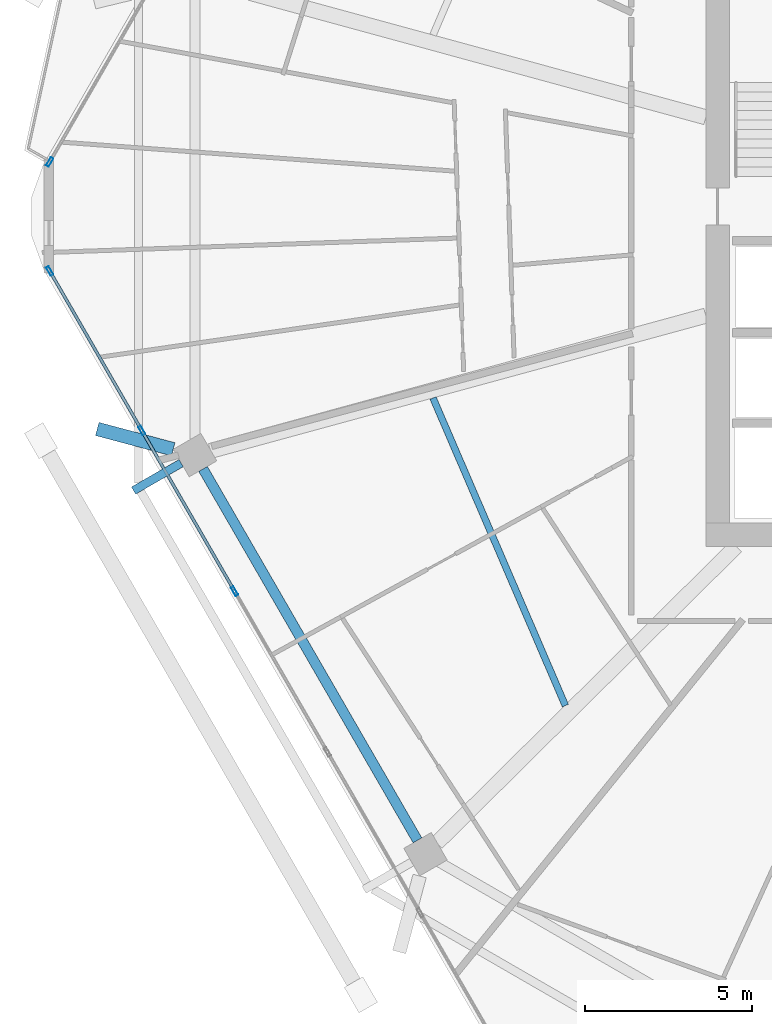
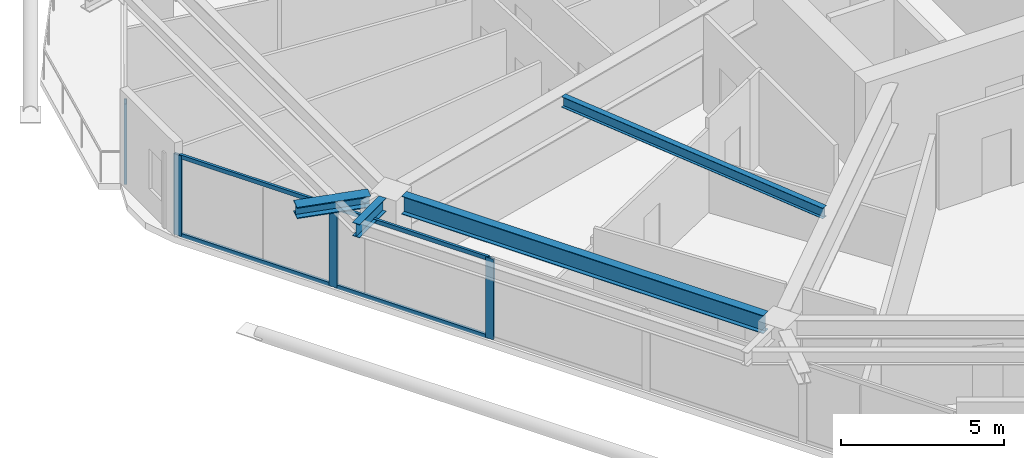
# One storey, part 6 of 28: 8 members, 4 beams, 2 elements without a shape of their own.
"""IFC4 building model written with IfcOpenShell, lengths in metres."""

from ifc_helpers import new_model, si_unit, direction, frame, origin, origin_2d, place, context, subcontext, project, spatial, hollow_rectangle, i_section, extrude, material, material_profile, profile_set, type_object, element, aggregate, save


model = new_model("IFC4")

# Units and contexts
model_context = context("Model", 3, precision=1e-05, world=origin(), true_north=direction((0.0, 1.0)))
body_context = subcontext(model_context, "Body", "Model", "MODEL_VIEW")
ifc_project = project(units=[si_unit("LENGTHUNIT", "METRE"), si_unit("AREAUNIT", "SQUARE_METRE"), si_unit("VOLUMEUNIT", "CUBIC_METRE"), si_unit("PLANEANGLEUNIT", "RADIAN"), si_unit("MASSUNIT", "GRAM", prefix="KILO")], contexts=[model_context])

# Site, building, storey
site_placement = place(None, origin())
site = spatial("IfcSite", under=ifc_project, at=site_placement, CompositionType="ELEMENT")
building_placement = place(site_placement, origin())
building = spatial("IfcBuilding", under=site, at=building_placement, Name="Zuhravey Tower", CompositionType="ELEMENT")
storey_placement = place(building_placement, frame((0.0, 0.0, 222.60009765625)))
storey = spatial("IfcBuildingStorey", under=building, at=storey_placement, Name="L56", CompositionType="ELEMENT", Elevation=222.60009765625)

# Curtain wall, members
ifc_material_1 = material(Name="Thermally broken anodised aluminium", Category="aluminium")
curtain_wall_type = type_object("IfcCurtainWallType", Name="Zone 1-2 Residential Curtain Wall CW3", PredefinedType="NOTDEFINED", material=ifc_material_1)
curtain_wall_1_placement = place(storey_placement, origin())
curtain_wall_1 = element("IfcCurtainWall", 1, at=curtain_wall_1_placement, inside=storey, type_object=curtain_wall_type, Name="L56 CW3 CW-L56-F4-1", PredefinedType="NOTDEFINED")
ifc_material_2 = material(Name="Anodised aluminium", Category="aluminium")
ifc_material_profile_1 = material_profile(ifc_material_2, hollow_rectangle(XDim=0.090087890625, YDim=0.284912109375, WallThickness=0.0048828125, at=origin_2d()), Name="ALU-RHS-90x285x5")
ifc_profile_set_1 = profile_set([ifc_material_profile_1], Name="Anodised aluminium")
member_type_1 = type_object("IfcMemberType", Name="Curtain-Wall Mullion 90x180", PredefinedType="MULLION", material=ifc_profile_set_1)
member_1_placement = place(storey_placement, frame((11.07275390625, 20.809326171875, 0.0), z_axis=(0.0, 0.0, 1.0), x_axis=(-0.866025138215, -0.500000459979, 0.0)))
member_1 = element("IfcMember", 2, at=member_1_placement, type_object=member_type_1, Name="CW3 mullion 4", PredefinedType="MULLION", context=body_context, shape_type="SweptSolid", body=[
    extrude(hollow_rectangle(XDim=0.090087890625, YDim=0.284912109375, WallThickness=0.0048828125, at=origin_2d()), origin(), (0.0, 0.0, 1.0), 3.02001953125),
])
member_2_placement = place(storey_placement, frame((8.300537109375, 25.61083984375, 0.0), z_axis=(0.0, 0.0, 1.0), x_axis=(-0.866025138215, -0.500000459979, 0.0)))
member_2 = element("IfcMember", 3, at=member_2_placement, type_object=member_type_1, Name="CW3 mullion 5", PredefinedType="MULLION", context=body_context, shape_type="SweptSolid", body=[
    extrude(hollow_rectangle(XDim=0.090087890625, YDim=0.284912109375, WallThickness=0.0048828125, at=origin_2d()), origin(), (0.0, 0.0, 1.0), 3.02001953125),
])
member_3_placement = place(storey_placement, frame((5.55078125, 30.37353515625, 0.0), z_axis=(0.0, 0.0, 1.0), x_axis=(-0.866025138215, -0.500000459979, 0.0)))
member_3 = element("IfcMember", 4, at=member_3_placement, type_object=member_type_1, Name="CW3 mullion 6", PredefinedType="MULLION", context=body_context, shape_type="SweptSolid", body=[
    extrude(hollow_rectangle(XDim=0.090087890625, YDim=0.284912109375, WallThickness=0.0048828125, at=origin_2d()), origin(), (0.0, 0.0, 1.0), 3.02001953125),
])

# Curtain wall, member
curtain_wall_2_placement = place(storey_placement, origin())
curtain_wall_2 = element("IfcCurtainWall", 5, at=curtain_wall_2_placement, inside=storey, type_object=curtain_wall_type, Name="L56 CW3 CW-L56-F3-1", PredefinedType="NOTDEFINED")
member_4_placement = place(storey_placement, frame((5.55078125, 33.62646484375, 0.0), z_axis=(0.0, 0.0, 1.0), x_axis=(-0.866025772241, 0.499999361815, 0.0)))
member_4 = element("IfcMember", 6, at=member_4_placement, type_object=member_type_1, Name="CW3 mullion 1", PredefinedType="MULLION", context=body_context, shape_type="SweptSolid", body=[
    extrude(hollow_rectangle(XDim=0.090087890625, YDim=0.284912109375, WallThickness=0.0048828125, at=origin_2d()), origin(), (0.0, 0.0, 1.0), 3.02001953125),
])
aggregate(curtain_wall_2, [member_4])

# Member
ifc_material_profile_2 = material_profile(ifc_material_2, hollow_rectangle(XDim=0.090087890625, YDim=0.14990234375, WallThickness=0.0048828125, at=origin_2d()), Name="ALU-RHS-90x150x5")
ifc_profile_set_2 = profile_set([ifc_material_profile_2], Name="Anodised aluminium")
member_type_2 = type_object("IfcMemberType", Name="Curtain-Wall Transom 90x150", PredefinedType="USERDEFINED", material=ifc_profile_set_2)
member_5_placement = place(storey_placement, frame((11.050048828125, 20.84814453125, 0.044921875), z_axis=(-0.49996138257, 0.86604769842, 0.0), x_axis=(-0.86604769842, -0.49996138257, 0.0)))
member_5 = element("IfcMember", 7, at=member_5_placement, type_object=member_type_2, Name="CW3 transom 4.1", ObjectType="TRANSOM", PredefinedType="USERDEFINED", context=body_context, shape_type="SweptSolid", body=[
    extrude(hollow_rectangle(XDim=0.090087890625, YDim=0.14990234375, WallThickness=0.0048828125, at=origin_2d()), origin(), (0.0, 0.0, 1.0), 5.45458984375),
])

member_6_placement = place(storey_placement, frame((11.050048828125, 20.84814453125, 2.974853515625), z_axis=(-0.49996138257, 0.86604769842, 0.0), x_axis=(-0.86604769842, -0.49996138257, 0.0)))
member_6 = element("IfcMember", 8, at=member_6_placement, type_object=member_type_2, Name="CW3 transom 4.2", ObjectType="TRANSOM", PredefinedType="USERDEFINED", context=body_context, shape_type="SweptSolid", body=[
    extrude(hollow_rectangle(XDim=0.090087890625, YDim=0.14990234375, WallThickness=0.0048828125, at=origin_2d()), origin(), (0.0, 0.0, 1.0), 5.45458984375),
])

member_7_placement = place(storey_placement, frame((8.27783203125, 25.64990234375, 0.044921875), z_axis=(-0.499993332629, 0.866029253159, 0.0), x_axis=(-0.866029253159, -0.499993332629, 0.0)))
member_7 = element("IfcMember", 9, at=member_7_placement, type_object=member_type_2, Name="CW3 transom 5.1", ObjectType="TRANSOM", PredefinedType="USERDEFINED", context=body_context, shape_type="SweptSolid", body=[
    extrude(hollow_rectangle(XDim=0.090087890625, YDim=0.14990234375, WallThickness=0.0048828125, at=origin_2d()), origin(), (0.0, 0.0, 1.0), 5.4091796875),
])

member_8_placement = place(storey_placement, frame((8.27783203125, 25.64990234375, 2.974853515625), z_axis=(-0.499993332629, 0.866029253159, 0.0), x_axis=(-0.866029253159, -0.499993332629, 0.0)))
member_8 = element("IfcMember", 10, at=member_8_placement, type_object=member_type_2, Name="CW3 transom 5.2", ObjectType="TRANSOM", PredefinedType="USERDEFINED", context=body_context, shape_type="SweptSolid", body=[
    extrude(hollow_rectangle(XDim=0.090087890625, YDim=0.14990234375, WallThickness=0.0048828125, at=origin_2d()), origin(), (0.0, 0.0, 1.0), 5.4091796875),
])

aggregate(curtain_wall_1, [member_1, member_2, member_3, member_5, member_6, member_7, member_8])

# Beams
ifc_material_3 = material(Name="Steel SM460", Category="steel")
ifc_material_profile_3 = material_profile(ifc_material_3, i_section(OverallWidth=0.406982421875, OverallDepth=0.427978515625, WebThickness=0.02001953125, FlangeThickness=0.034912109375, at=origin_2d()), Name="H-428x407x20x35")
ifc_profile_set_3 = profile_set([ifc_material_profile_3], Name="Steel SM460")
beam_type_1 = type_object("IfcBeamType", Name="Exoskeleton Node Tie Beam H428x407", PredefinedType="BEAM", material=ifc_profile_set_3)
beam_1_placement = place(storey_placement, frame((9.239990234375, 25.047607421875, 3.305908203125), z_axis=(-0.966134785463, 0.258037935814, 0.0), x_axis=(-0.258037935814, -0.966134785463, 0.0)))
element("IfcBeam", 11, at=beam_1_placement, inside=storey, type_object=beam_type_1, Name="L56 Exoskeleton Node Tie NT1-07", PredefinedType="BEAM", context=body_context, shape_type="SweptSolid", body=[
    extrude(i_section(OverallWidth=0.406982421875, OverallDepth=0.427978515625, WebThickness=0.02001953125, FlangeThickness=0.034912109375, at=origin_2d()), origin(), (0.0, 0.0, 1.0), 2.348388671875),
])
ifc_material_4 = material(Name="Steel SM355", Category="steel")
ifc_material_profile_4 = material_profile(ifc_material_4, i_section(OverallWidth=0.300048828125, OverallDepth=0.679931640625, WebThickness=0.012939453125, FlangeThickness=0.02197265625, at=origin_2d()), Name="H-680x300x13x22")
ifc_profile_set_4 = profile_set([ifc_material_profile_4], Name="Steel SM355")
beam_type_2 = type_object("IfcBeamType", Name="Perimeter Ring Beam H680x300", PredefinedType="BEAM", material=ifc_profile_set_4)
beam_2_placement = place(storey_placement, frame((10.13134765625, 24.45947265625, 3.179931640625), z_axis=(0.500003505699, -0.866023379758, 0.0), x_axis=(0.866023379758, 0.500003505699, 0.0)))
element("IfcBeam", 12, at=beam_2_placement, inside=storey, type_object=beam_type_2, Name="L56 PB2 BM-L56-PB-07", PredefinedType="BEAM", context=body_context, shape_type="SweptSolid", body=[
    extrude(i_section(OverallWidth=0.300048828125, OverallDepth=0.679931640625, WebThickness=0.012939453125, FlangeThickness=0.02197265625, at=origin_2d()), origin(), (0.0, 0.0, 1.0), 12.80810546875),
])
ifc_material_profile_5 = material_profile(ifc_material_4, i_section(OverallWidth=0.199951171875, OverallDepth=0.39990234375, WebThickness=0.008056640625, FlangeThickness=0.012939453125, at=origin_2d()), Name="H-400x200x8x13")
ifc_profile_set_5 = profile_set([ifc_material_profile_5], Name="Steel SM355")
beam_type_3 = type_object("IfcBeamType", Name="Secondary Floor Joist H400x200", PredefinedType="JOIST", material=ifc_profile_set_5)
beam_3_placement = place(storey_placement, frame((17.0, 26.57861328125, 3.31982421875), z_axis=(0.395280133631, -0.918560621819, 0.0), x_axis=(0.918560621819, 0.395280133631, 0.0)))
element("IfcBeam", 13, at=beam_3_placement, inside=storey, type_object=beam_type_3, Name="L56 SJ2 BM-L56-SJ-07-1", PredefinedType="JOIST", context=body_context, shape_type="SweptSolid", body=[
    extrude(i_section(OverallWidth=0.199951171875, OverallDepth=0.39990234375, WebThickness=0.008056640625, FlangeThickness=0.012939453125, at=origin_2d()), origin(), (0.0, 0.0, 1.0), 10.000244140625),
])
ifc_material_profile_6 = material_profile(ifc_material_4, i_section(OverallWidth=0.25, OverallDepth=0.5, WebThickness=0.010009765625, FlangeThickness=0.01611328125, at=origin_2d()), Name="H-500x250x10x16")
ifc_profile_set_6 = profile_set([ifc_material_profile_6], Name="Steel SM355")
beam_type_4 = type_object("IfcBeamType", Name="Tray Cantilever Spandrel H500x250", PredefinedType="SPANDREL", material=ifc_profile_set_6)
beam_4_placement = place(storey_placement, frame((9.4775390625, 24.634033203125, 3.27001953125), z_axis=(-0.866009679343, -0.500027234542, 0.0), x_axis=(0.500027234542, -0.866009679343, 0.0)))
element("IfcBeam", 14, at=beam_4_placement, inside=storey, type_object=beam_type_4, Name="L56 Sky-Tray Cantilever Arm TSB1-R07", PredefinedType="SPANDREL", context=body_context, shape_type="SweptSolid", body=[
    extrude(i_section(OverallWidth=0.25, OverallDepth=0.5, WebThickness=0.010009765625, FlangeThickness=0.01611328125, at=origin_2d()), origin(), (0.0, 0.0, 1.0), 1.64111328125),
])

save(model, "model.ifc")
